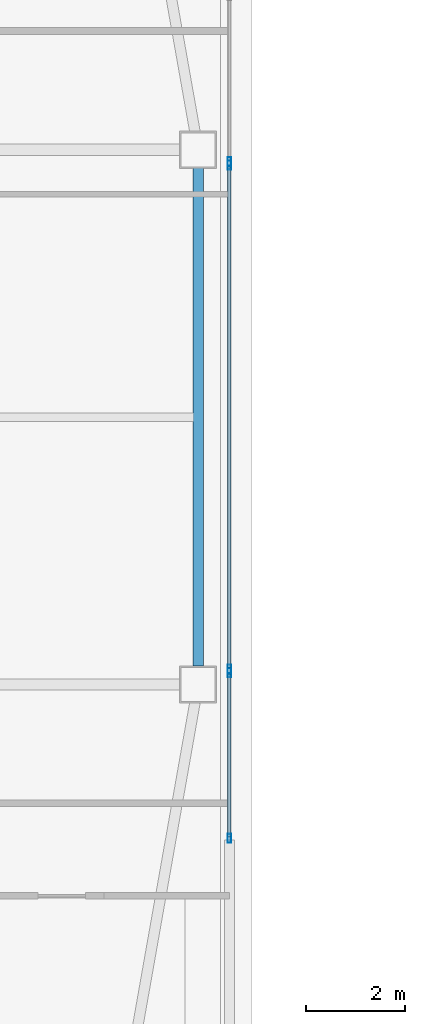
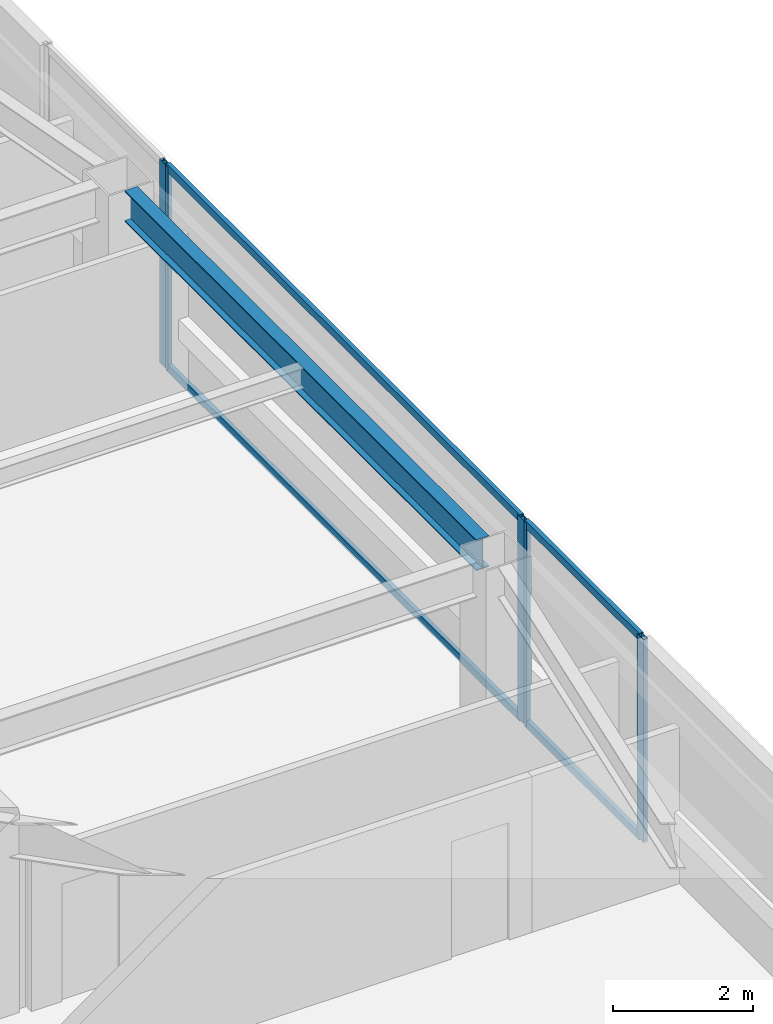
# One storey, part 10 of 42: 9 members, 1 beam, 3 elements without a shape of their own.
"""IFC4 building model written with IfcOpenShell, lengths in metres."""

from ifc_helpers import new_model, si_unit, direction, frame, origin, origin_2d, place, context, subcontext, project, spatial, hollow_rectangle, i_section, extrude, material, material_profile, profile_set, type_object, element, aggregate, save


model = new_model("IFC4")

# Units and contexts
model_context = context("Model", 3, precision=1e-05, world=origin(), true_north=direction((0.0, 1.0)))
body_context = subcontext(model_context, "Body", "Model", "MODEL_VIEW")
ifc_project = project(units=[si_unit("LENGTHUNIT", "METRE"), si_unit("AREAUNIT", "SQUARE_METRE"), si_unit("VOLUMEUNIT", "CUBIC_METRE"), si_unit("PLANEANGLEUNIT", "RADIAN"), si_unit("MASSUNIT", "GRAM", prefix="KILO")], contexts=[model_context])

# Site, building, storey
site_placement = place(None, origin())
site = spatial("IfcSite", under=ifc_project, at=site_placement, CompositionType="ELEMENT")
building_placement = place(site_placement, origin())
building = spatial("IfcBuilding", under=site, at=building_placement, Name="Tashvorn Skyway Center", CompositionType="ELEMENT")
storey_placement = place(building_placement, frame((0.0, 0.0, 164.10009765625)))
storey = spatial("IfcBuildingStorey", under=building, at=storey_placement, Name="L44", CompositionType="ELEMENT", Elevation=164.10009765625)

# Beam
ifc_material_1 = material(Name="Steel ASTM A992 Grade 50", Category="steel")
ifc_material_profile_1 = material_profile(ifc_material_1, i_section(OverallWidth=0.2109375, OverallDepth=0.5390625, WebThickness=0.01171875, FlangeThickness=0.018798828125, at=origin_2d()), Name="W21X73")
ifc_profile_set_1 = profile_set([ifc_material_profile_1], Name="Steel ASTM A992 Grade 50")
beam_type = type_object("IfcBeamType", Name="BM-SPANDREL-W21X73", PredefinedType="SPANDREL", material=ifc_profile_set_1)
beam_placement = place(storey_placement, frame((59.050048828125, 26.969970703125, 3.100341796875), z_axis=(0.0, 1.0, 0.0), x_axis=(-1.0, 0.0, 0.0)))
element("IfcBeam", 1, at=beam_placement, inside=storey, type_object=beam_type, Name="Tower 1 L44 Spandrel Beam 05", PredefinedType="SPANDREL", context=body_context, shape_type="SweptSolid", body=[
    extrude(i_section(OverallWidth=0.2109375, OverallDepth=0.5390625, WebThickness=0.01171875, FlangeThickness=0.018798828125, at=origin_2d()), origin(), (0.0, 0.0, 1.0), 10.06005859375),
])

# Curtain wall, member
ifc_material_2 = material(Name="Thermally broken bronze-anodized aluminium 6063-T6", Category="aluminium")
curtain_wall_type = type_object("IfcCurtainWallType", Name="CW-CW-Z4", PredefinedType="NOTDEFINED", material=ifc_material_2)
curtain_wall_1_placement = place(storey_placement, origin())
curtain_wall_1 = element("IfcCurtainWall", 2, at=curtain_wall_1_placement, inside=storey, type_object=curtain_wall_type, Name="Tower 1 L44 East Unitised Curtain Wall Glazing Group 1", PredefinedType="NOTDEFINED")
ifc_material_profile_2 = material_profile(ifc_material_2, hollow_rectangle(XDim=0.070068359375, YDim=0.179931640625, WallThickness=0.00390625, at=origin_2d()), Name="ALU-MULL-70x180")
ifc_profile_set_2 = profile_set([ifc_material_profile_2], Name="Thermally broken bronze-anodized aluminium 6063-T6")
member_type_1 = type_object("IfcMemberType", Name="CWM-CW-Z4", PredefinedType="MULLION", material=ifc_profile_set_2)
member_1_placement = place(storey_placement, frame((59.679931640625, 37.16162109375, 0.0), z_axis=(0.0, 0.0, 1.0), x_axis=(1.0, 0.0, 0.0)))
member_1 = element("IfcMember", 3, at=member_1_placement, type_object=member_type_1, Name="CW-Z4 mullion 2", PredefinedType="MULLION", context=body_context, shape_type="SweptSolid", body=[
    extrude(hollow_rectangle(XDim=0.070068359375, YDim=0.179931640625, WallThickness=0.00390625, at=origin_2d()), origin(), (0.0, 0.0, 1.0), 3.5498046875),
])
aggregate(curtain_wall_1, [member_1])

# Curtain wall, members
curtain_wall_2_placement = place(storey_placement, origin())
curtain_wall_2 = element("IfcCurtainWall", 4, at=curtain_wall_2_placement, inside=storey, type_object=curtain_wall_type, Name="Tower 1 L44 East Unitised Curtain Wall Glazing Group 2", PredefinedType="NOTDEFINED")
member_2_placement = place(storey_placement, frame((59.679931640625, 37.091796875, 0.0), z_axis=(0.0, 0.0, 1.0), x_axis=(1.0, 0.0, 0.0)))
member_2 = element("IfcMember", 5, at=member_2_placement, type_object=member_type_1, Name="CW-Z4 mullion 1", PredefinedType="MULLION", context=body_context, shape_type="SweptSolid", body=[
    extrude(hollow_rectangle(XDim=0.070068359375, YDim=0.179931640625, WallThickness=0.00390625, at=origin_2d()), origin(), (0.0, 0.0, 1.0), 3.5498046875),
])
member_3_placement = place(storey_placement, frame((59.679931640625, 26.908203125, 0.0), z_axis=(0.0, 0.0, 1.0), x_axis=(1.0, 0.0, 0.0)))
member_3 = element("IfcMember", 6, at=member_3_placement, type_object=member_type_1, Name="CW-Z4 mullion 2", PredefinedType="MULLION", context=body_context, shape_type="SweptSolid", body=[
    extrude(hollow_rectangle(XDim=0.070068359375, YDim=0.179931640625, WallThickness=0.00390625, at=origin_2d()), origin(), (0.0, 0.0, 1.0), 3.5498046875),
])

curtain_wall_3_placement = place(storey_placement, origin())
curtain_wall_3 = element("IfcCurtainWall", 7, at=curtain_wall_3_placement, inside=storey, type_object=curtain_wall_type, Name="Tower 1 L44 East Unitised Curtain Wall Glazing Group 3", PredefinedType="NOTDEFINED")
member_4_placement = place(storey_placement, frame((59.679931640625, 26.83837890625, 0.0), z_axis=(0.0, 0.0, 1.0), x_axis=(1.0, 0.0, 0.0)))
member_4 = element("IfcMember", 8, at=member_4_placement, type_object=member_type_1, Name="CW-Z4 mullion 1", PredefinedType="MULLION", context=body_context, shape_type="SweptSolid", body=[
    extrude(hollow_rectangle(XDim=0.070068359375, YDim=0.179931640625, WallThickness=0.00390625, at=origin_2d()), origin(), (0.0, 0.0, 1.0), 3.5498046875),
])
member_5_placement = place(storey_placement, frame((59.679931640625, 23.490478515625, 0.0), z_axis=(0.0, 0.0, 1.0), x_axis=(1.0, 0.0, 0.0)))
member_5 = element("IfcMember", 9, at=member_5_placement, type_object=member_type_1, Name="CW-Z4 mullion 2", PredefinedType="MULLION", context=body_context, shape_type="SweptSolid", body=[
    extrude(hollow_rectangle(XDim=0.070068359375, YDim=0.179931640625, WallThickness=0.00390625, at=origin_2d()), origin(), (0.0, 0.0, 1.0), 3.5498046875),
])

# Member
ifc_material_profile_3 = material_profile(ifc_material_2, hollow_rectangle(XDim=0.070068359375, YDim=0.1298828125, WallThickness=0.00390625, at=origin_2d()), Name="ALU-TRAN-70x130")
ifc_profile_set_3 = profile_set([ifc_material_profile_3], Name="Thermally broken bronze-anodized aluminium 6063-T6")
member_type_2 = type_object("IfcMemberType", Name="CWT-CW-Z4", PredefinedType="USERDEFINED", material=ifc_profile_set_3)
member_6_placement = place(storey_placement, frame((59.679931640625, 37.056640625, 0.034912109375), z_axis=(0.0, -1.0, 0.0), x_axis=(1.0, 0.0, 0.0)))
member_6 = element("IfcMember", 10, at=member_6_placement, type_object=member_type_2, Name="CW-Z4 transom 1.1", ObjectType="TRANSOM", PredefinedType="USERDEFINED", context=body_context, shape_type="SweptSolid", body=[
    extrude(hollow_rectangle(XDim=0.070068359375, YDim=0.1298828125, WallThickness=0.00390625, at=origin_2d()), origin(), (0.0, 0.0, 1.0), 10.11328125),
])

member_7_placement = place(storey_placement, frame((59.679931640625, 37.056640625, 3.514892578125), z_axis=(0.0, -1.0, 0.0), x_axis=(1.0, 0.0, 0.0)))
member_7 = element("IfcMember", 11, at=member_7_placement, type_object=member_type_2, Name="CW-Z4 transom 1.2", ObjectType="TRANSOM", PredefinedType="USERDEFINED", context=body_context, shape_type="SweptSolid", body=[
    extrude(hollow_rectangle(XDim=0.070068359375, YDim=0.1298828125, WallThickness=0.00390625, at=origin_2d()), origin(), (0.0, 0.0, 1.0), 10.11328125),
])

aggregate(curtain_wall_2, [member_2, member_3, member_6, member_7])

member_8_placement = place(storey_placement, frame((59.679931640625, 26.80322265625, 0.034912109375), z_axis=(0.0, -1.0, 0.0), x_axis=(1.0, 0.0, 0.0)))
member_8 = element("IfcMember", 12, at=member_8_placement, type_object=member_type_2, Name="CW-Z4 transom 1.1", ObjectType="TRANSOM", PredefinedType="USERDEFINED", context=body_context, shape_type="SweptSolid", body=[
    extrude(hollow_rectangle(XDim=0.070068359375, YDim=0.1298828125, WallThickness=0.00390625, at=origin_2d()), origin(), (0.0, 0.0, 1.0), 3.277587890625),
])

member_9_placement = place(storey_placement, frame((59.679931640625, 26.80322265625, 3.514892578125), z_axis=(0.0, -1.0, 0.0), x_axis=(1.0, 0.0, 0.0)))
member_9 = element("IfcMember", 13, at=member_9_placement, type_object=member_type_2, Name="CW-Z4 transom 1.2", ObjectType="TRANSOM", PredefinedType="USERDEFINED", context=body_context, shape_type="SweptSolid", body=[
    extrude(hollow_rectangle(XDim=0.070068359375, YDim=0.1298828125, WallThickness=0.00390625, at=origin_2d()), origin(), (0.0, 0.0, 1.0), 3.277587890625),
])

aggregate(curtain_wall_3, [member_4, member_5, member_8, member_9])

save(model, "model.ifc")
